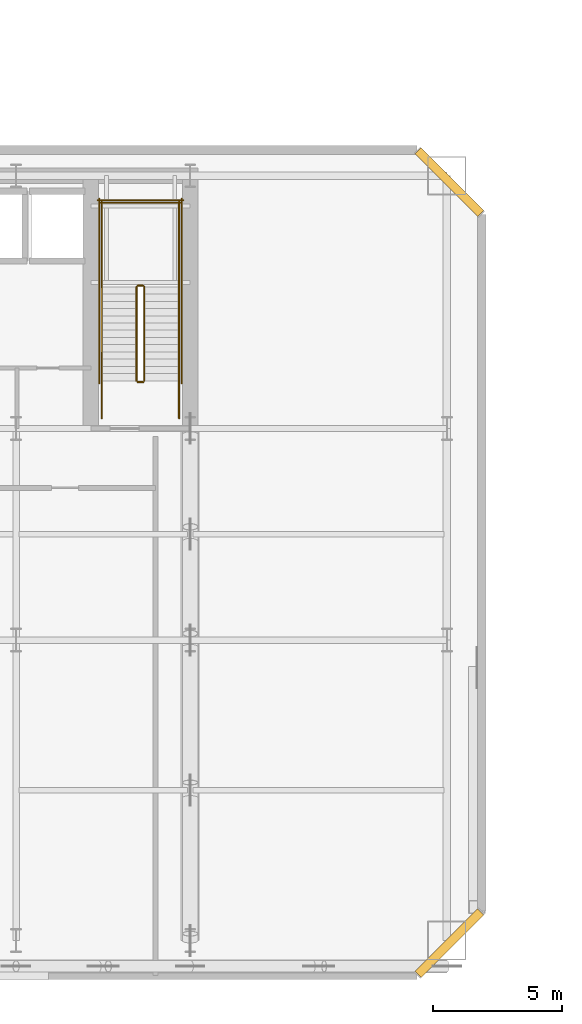
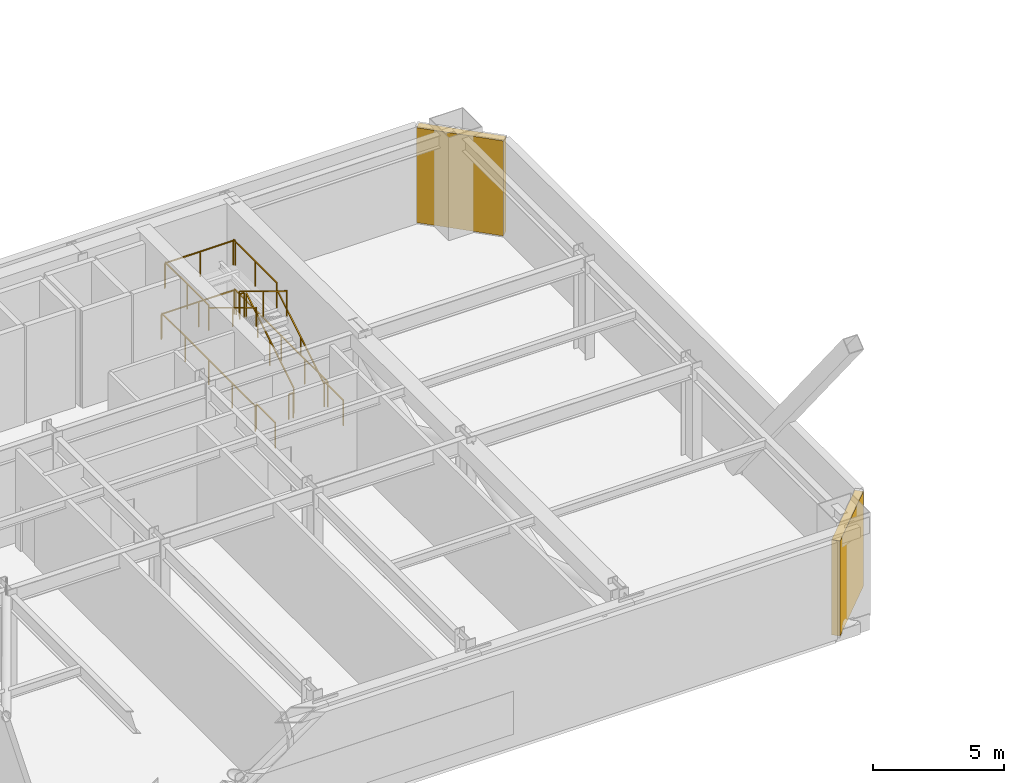
# One storey, part 14 of 17: 14 railings, 2 shading devices.
"""IFC4 building model written with IfcOpenShell, lengths in metres."""

from ifc_helpers import new_model, si_unit, direction, frame, origin, origin_2d, place, context, subcontext, project, spatial, rectangle, extrude, material, layer, layer_set, type_object, element, save


model = new_model("IFC4")

# Units and contexts
model_context = context("Model", 3, precision=1e-05, world=origin(), true_north=direction((0.0, 1.0)))
body_context = subcontext(model_context, "Body", "Model", "MODEL_VIEW")
ifc_project = project(units=[si_unit("LENGTHUNIT", "METRE"), si_unit("AREAUNIT", "SQUARE_METRE"), si_unit("VOLUMEUNIT", "CUBIC_METRE"), si_unit("PLANEANGLEUNIT", "RADIAN"), si_unit("MASSUNIT", "GRAM", prefix="KILO")], contexts=[model_context])

# Site, building, storey
site_placement = place(None, origin())
site = spatial("IfcSite", under=ifc_project, at=site_placement, CompositionType="ELEMENT")
building_placement = place(site_placement, origin())
building = spatial("IfcBuilding", under=site, at=building_placement, Name="Haevon Station Towers", CompositionType="ELEMENT")
storey_placement = place(building_placement, frame((0.0, 0.0, 81.89990234375)))
storey = spatial("IfcBuildingStorey", under=building, at=storey_placement, Name="L21", CompositionType="ELEMENT", Elevation=81.89990234375)

# Railings
ifc_material_1 = material(Name="Steel S355", Category="steel")
railing_type_1 = type_object("IfcRailingType", Name="GRD-STR1200", PredefinedType="GUARDRAIL", material=ifc_material_1)
railing_1_placement = place(storey_placement, frame((49.219970703125, 40.050048828125, 0.171630859375)))
element("IfcRailing", 1, at=railing_1_placement, inside=storey, type_object=railing_type_1, Name="L21 ST2 Stair Guard 1", PredefinedType="GUARDRAIL", context=body_context, shape_type="SweptSolid", body=[
    extrude(rectangle(XDim=0.048095703125, YDim=0.048095703125, at=origin_2d()), frame((0.0, 0.0, 1.17578125), z_axis=(0.0, 0.852850264322, 0.5221555579), x_axis=(-1.0, 0.0, 0.0)), (0.0, 0.0, 1.0), 4.267822265625),
    extrude(rectangle(XDim=0.0419921875, YDim=0.0419921875, at=origin_2d()), origin(), (0.0, 0.0, 1.0), 1.15185546875),
    extrude(rectangle(XDim=0.0419921875, YDim=0.0419921875, at=origin_2d()), frame((0.0, 1.81982421875, 1.1142578125)), (0.0, 0.0, 1.0), 1.15185546875),
    extrude(rectangle(XDim=0.0419921875, YDim=0.0419921875, at=origin_2d()), frame((0.0, 3.639892578125, 2.228515625)), (0.0, 0.0, 1.0), 1.15185546875),
])
railing_2_placement = place(storey_placement, frame((49.169921875, 43.739990234375, 2.400146484375)))
element("IfcRailing", 2, at=railing_2_placement, inside=storey, type_object=railing_type_1, Name="L21 ST2 Stair Guard 2", PredefinedType="GUARDRAIL", context=body_context, shape_type="SweptSolid", body=[
    extrude(rectangle(XDim=0.048095703125, YDim=0.048095703125, at=origin_2d()), frame((0.0, 0.0, 1.17578125), z_axis=(-1.0, 0.0, 0.0), x_axis=(0.0, -1.0, 0.0)), (0.0, 0.0, 1.0), 0.199951171875),
    extrude(rectangle(XDim=0.0419921875, YDim=0.0419921875, at=origin_2d()), origin(), (0.0, 0.0, 1.0), 1.15185546875),
    extrude(rectangle(XDim=0.0419921875, YDim=0.0419921875, at=origin_2d()), frame((-0.199951171875, 0.0, 0.0)), (0.0, 0.0, 1.0), 1.15185546875),
])
for number, where, name in (
    (3, (50.570068359375, 43.68994140625, 2.400146484375), "L21 ST2 Stair Guard 3"),
    (4, (47.570068359375, 43.68994140625, 2.400146484375), "L21 ST2 Stair Guard 4"),
):
    element("IfcRailing", number, at=place(storey_placement, frame(where)), inside=storey, type_object=railing_type_1, Name=name, PredefinedType="GUARDRAIL", context=body_context, shape_type="SweptSolid", body=[
        extrude(rectangle(XDim=0.048095703125, YDim=0.048095703125, at=origin_2d()), frame((0.0, 0.0, 1.17578125), z_axis=(0.0, 1.0, 0.0), x_axis=(-1.0, 0.0, 0.0)), (0.0, 0.0, 1.0), 3.31005859375),
        extrude(rectangle(XDim=0.0419921875, YDim=0.0419921875, at=origin_2d()), origin(), (0.0, 0.0, 1.0), 1.15185546875),
        extrude(rectangle(XDim=0.0419921875, YDim=0.0419921875, at=origin_2d()), frame((0.0, 1.655029296875, 0.0)), (0.0, 0.0, 1.0), 1.15185546875),
        extrude(rectangle(XDim=0.0419921875, YDim=0.0419921875, at=origin_2d()), frame((0.0, 3.31005859375, 0.0)), (0.0, 0.0, 1.0), 1.15185546875),
    ])
railing_3_placement = place(storey_placement, frame((50.6201171875, 46.949951171875, 2.400146484375)))
element("IfcRailing", 5, at=railing_3_placement, inside=storey, type_object=railing_type_1, Name="L21 ST2 Stair Guard 5", PredefinedType="GUARDRAIL", context=body_context, shape_type="SweptSolid", body=[
    extrude(rectangle(XDim=0.048095703125, YDim=0.048095703125, at=origin_2d()), frame((0.0, 0.0, 1.17578125), z_axis=(-1.0, 0.0, 0.0), x_axis=(0.0, -1.0, 0.0)), (0.0, 0.0, 1.0), 3.10009765625),
    extrude(rectangle(XDim=0.0419921875, YDim=0.0419921875, at=origin_2d()), origin(), (0.0, 0.0, 1.0), 1.15185546875),
    extrude(rectangle(XDim=0.0419921875, YDim=0.0419921875, at=origin_2d()), frame((-1.550048828125, 0.0, 0.0)), (0.0, 0.0, 1.0), 1.15185546875),
    extrude(rectangle(XDim=0.0419921875, YDim=0.0419921875, at=origin_2d()), frame((-3.10009765625, 0.0, 0.0)), (0.0, 0.0, 1.0), 1.15185546875),
])
railing_4_placement = place(storey_placement, frame((48.919921875, 43.68994140625, 2.571533203125)))
element("IfcRailing", 6, at=railing_4_placement, inside=storey, type_object=railing_type_1, Name="L21 ST2 Stair Guard 6", PredefinedType="GUARDRAIL", context=body_context, shape_type="SweptSolid", body=[
    extrude(rectangle(XDim=0.048095703125, YDim=0.048095703125, at=origin_2d()), frame((0.0, 0.0, 1.17578125), z_axis=(0.0, -0.852850264322, 0.5221555579), x_axis=(1.0, 0.0, 0.0)), (0.0, 0.0, 1.0), 4.267822265625),
    extrude(rectangle(XDim=0.0419921875, YDim=0.0419921875, at=origin_2d()), origin(), (0.0, 0.0, 1.0), 1.15185546875),
    extrude(rectangle(XDim=0.0419921875, YDim=0.0419921875, at=origin_2d()), frame((0.0, -1.81982421875, 1.1142578125)), (0.0, 0.0, 1.0), 1.15185546875),
    extrude(rectangle(XDim=0.0419921875, YDim=0.0419921875, at=origin_2d()), frame((0.0, -3.639892578125, 2.228515625)), (0.0, 0.0, 1.0), 1.15185546875),
])
railing_5_placement = place(storey_placement, frame((49.169921875, 40.0, 0.0)))
element("IfcRailing", 7, at=railing_5_placement, inside=storey, type_object=railing_type_1, Name="L21 ST2 Stair Guard 7", PredefinedType="GUARDRAIL", context=body_context, shape_type="SweptSolid", body=[
    extrude(rectangle(XDim=0.048095703125, YDim=0.048095703125, at=origin_2d()), frame((0.0, 0.0, 1.17578125), z_axis=(-1.0, 0.0, 0.0), x_axis=(0.0, -1.0, 0.0)), (0.0, 0.0, 1.0), 0.199951171875),
    extrude(rectangle(XDim=0.0419921875, YDim=0.0419921875, at=origin_2d()), origin(), (0.0, 0.0, 1.0), 1.15185546875),
    extrude(rectangle(XDim=0.0419921875, YDim=0.0419921875, at=origin_2d()), frame((-0.199951171875, 0.0, 0.0)), (0.0, 0.0, 1.0), 1.15185546875),
])
for number, where, name in (
    (8, (50.570068359375, 38.60009765625, 0.0), "L21 ST2 Stair Guard 8"),
    (9, (47.570068359375, 38.60009765625, 0.0), "L21 ST2 Stair Guard 9"),
):
    element("IfcRailing", number, at=place(storey_placement, frame(where)), inside=storey, type_object=railing_type_1, Name=name, PredefinedType="GUARDRAIL", context=body_context, shape_type="SweptSolid", body=[
        extrude(rectangle(XDim=0.048095703125, YDim=0.048095703125, at=origin_2d()), frame((0.0, 0.0, 1.17578125), z_axis=(0.0, 1.0, 0.0), x_axis=(-1.0, 0.0, 0.0)), (0.0, 0.0, 1.0), 1.449951171875),
        extrude(rectangle(XDim=0.0419921875, YDim=0.0419921875, at=origin_2d()), origin(), (0.0, 0.0, 1.0), 1.15185546875),
        extrude(rectangle(XDim=0.0419921875, YDim=0.0419921875, at=origin_2d()), frame((0.0, 1.449951171875, 0.0)), (0.0, 0.0, 1.0), 1.15185546875),
    ])
for number, where, name in (
    (10, (50.669921875, 39.949951171875, 0.0), "L21 ST2 Stair Guard 10"),
    (11, (47.469970703125, 39.949951171875, 0.0), "L21 ST2 Stair Guard 11"),
):
    element("IfcRailing", number, at=place(storey_placement, frame(where)), inside=storey, type_object=railing_type_1, Name=name, PredefinedType="GUARDRAIL", context=body_context, shape_type="SweptSolid", body=[
        extrude(rectangle(XDim=0.048095703125, YDim=0.048095703125, at=origin_2d()), frame((0.0, 0.0, 1.17578125), z_axis=(0.0, 1.0, 0.0), x_axis=(-1.0, 0.0, 0.0)), (0.0, 0.0, 1.0), 7.150146484375),
        extrude(rectangle(XDim=0.0419921875, YDim=0.0419921875, at=origin_2d()), origin(), (0.0, 0.0, 1.0), 1.15185546875),
        extrude(rectangle(XDim=0.0419921875, YDim=0.0419921875, at=origin_2d()), frame((0.0, 1.78759765625, 0.0)), (0.0, 0.0, 1.0), 1.15185546875),
        extrude(rectangle(XDim=0.0419921875, YDim=0.0419921875, at=origin_2d()), frame((0.0, 3.5751953125, 0.0)), (0.0, 0.0, 1.0), 1.15185546875),
        extrude(rectangle(XDim=0.0419921875, YDim=0.0419921875, at=origin_2d()), frame((0.0, 5.362548828125, 0.0)), (0.0, 0.0, 1.0), 1.15185546875),
        extrude(rectangle(XDim=0.0419921875, YDim=0.0419921875, at=origin_2d()), frame((0.0, 7.150146484375, 0.0)), (0.0, 0.0, 1.0), 1.15185546875),
    ])
railing_6_placement = place(storey_placement, frame((50.719970703125, 47.050048828125, 0.0)))
element("IfcRailing", 12, at=railing_6_placement, inside=storey, type_object=railing_type_1, Name="L21 ST2 Stair Guard 12", PredefinedType="GUARDRAIL", context=body_context, shape_type="SweptSolid", body=[
    extrude(rectangle(XDim=0.048095703125, YDim=0.048095703125, at=origin_2d()), frame((0.0, 0.0, 1.17578125), z_axis=(-1.0, 0.0, 0.0), x_axis=(0.0, -1.0, 0.0)), (0.0, 0.0, 1.0), 3.300048828125),
    extrude(rectangle(XDim=0.0419921875, YDim=0.0419921875, at=origin_2d()), origin(), (0.0, 0.0, 1.0), 1.15185546875),
    extrude(rectangle(XDim=0.0419921875, YDim=0.0419921875, at=origin_2d()), frame((-1.64990234375, 0.0, 0.0)), (0.0, 0.0, 1.0), 1.15185546875),
    extrude(rectangle(XDim=0.0419921875, YDim=0.0419921875, at=origin_2d()), frame((-3.300048828125, 0.0, 0.0)), (0.0, 0.0, 1.0), 1.15185546875),
])
railing_type_2 = type_object("IfcRailingType", Name="HND-STR900", PredefinedType="HANDRAIL", material=ifc_material_1)
railing_7_placement = place(storey_placement, frame((50.570068359375, 40.050048828125, 0.171630859375)))
element("IfcRailing", 13, at=railing_7_placement, inside=storey, type_object=railing_type_2, Name="L21 ST2 Stair Handrail 1", PredefinedType="HANDRAIL", context=body_context, shape_type="SweptSolid", body=[
    extrude(rectangle(XDim=0.048095703125, YDim=0.048095703125, at=origin_2d()), frame((0.0, 0.0, 0.8759765625), z_axis=(0.0, 0.852850264322, 0.5221555579), x_axis=(-1.0, 0.0, 0.0)), (0.0, 0.0, 1.0), 4.267822265625),
    extrude(rectangle(XDim=0.0419921875, YDim=0.0419921875, at=origin_2d()), origin(), (0.0, 0.0, 1.0), 0.851806640625),
    extrude(rectangle(XDim=0.0419921875, YDim=0.0419921875, at=origin_2d()), frame((0.0, 1.81982421875, 1.1142578125)), (0.0, 0.0, 1.0), 0.851806640625),
    extrude(rectangle(XDim=0.0419921875, YDim=0.0419921875, at=origin_2d()), frame((0.0, 3.639892578125, 2.228515625)), (0.0, 0.0, 1.0), 0.851806640625),
])
railing_8_placement = place(storey_placement, frame((47.570068359375, 43.68994140625, 2.571533203125)))
element("IfcRailing", 14, at=railing_8_placement, inside=storey, type_object=railing_type_2, Name="L21 ST2 Stair Handrail 2", PredefinedType="HANDRAIL", context=body_context, shape_type="SweptSolid", body=[
    extrude(rectangle(XDim=0.048095703125, YDim=0.048095703125, at=origin_2d()), frame((0.0, 0.0, 0.8759765625), z_axis=(0.0, -0.852850264322, 0.5221555579), x_axis=(1.0, 0.0, 0.0)), (0.0, 0.0, 1.0), 4.267822265625),
    extrude(rectangle(XDim=0.0419921875, YDim=0.0419921875, at=origin_2d()), origin(), (0.0, 0.0, 1.0), 0.851806640625),
    extrude(rectangle(XDim=0.0419921875, YDim=0.0419921875, at=origin_2d()), frame((0.0, -1.81982421875, 1.1142578125)), (0.0, 0.0, 1.0), 0.851806640625),
    extrude(rectangle(XDim=0.0419921875, YDim=0.0419921875, at=origin_2d()), frame((0.0, -3.639892578125, 2.228515625)), (0.0, 0.0, 1.0), 0.851806640625),
])

# Shading devices
ifc_material_2 = material(Name="Anodised aluminium 6063-T6", Category="aluminium")
ifc_layer = layer(ifc_material_2, 0.139892578125)
ifc_layer_set = layer_set([ifc_layer], Name="Anodised aluminium 6063-T6")
shading_device_type = type_object("IfcShadingDeviceType", Name="SHD-WIND-BAFFLE", PredefinedType="SHUTTER", material=ifc_layer_set)
for number, where, z_axis, x_axis, name in (
    (15, (61.050048828125, 47.75, 0.05029296875), (0.0, 0.0, 1.0), (0.707106781187, -0.707106781187, 0.0), "Tower 1 L21 Wind-Corner Aerofoil Baffle NEC"),
    (16, (61.050048828125, 18.25, 0.05029296875), (0.0, 0.0, 1.0), (-0.707106781187, -0.707106781187, 0.0), "Tower 1 L21 Wind-Corner Aerofoil Baffle SEC"),
):
    element("IfcShadingDevice", number, at=place(storey_placement, frame(where, z_axis=z_axis, x_axis=x_axis)), inside=storey, type_object=shading_device_type, Name=name, PredefinedType="SHUTTER", context=body_context, shape_type="SweptSolid", body=[
        extrude(rectangle(XDim=3.435546875, YDim=0.340087890625, at=origin_2d()), origin(), (0.0, 0.0, 1.0), 4.429931640625),
    ])

save(model, "model.ifc")
